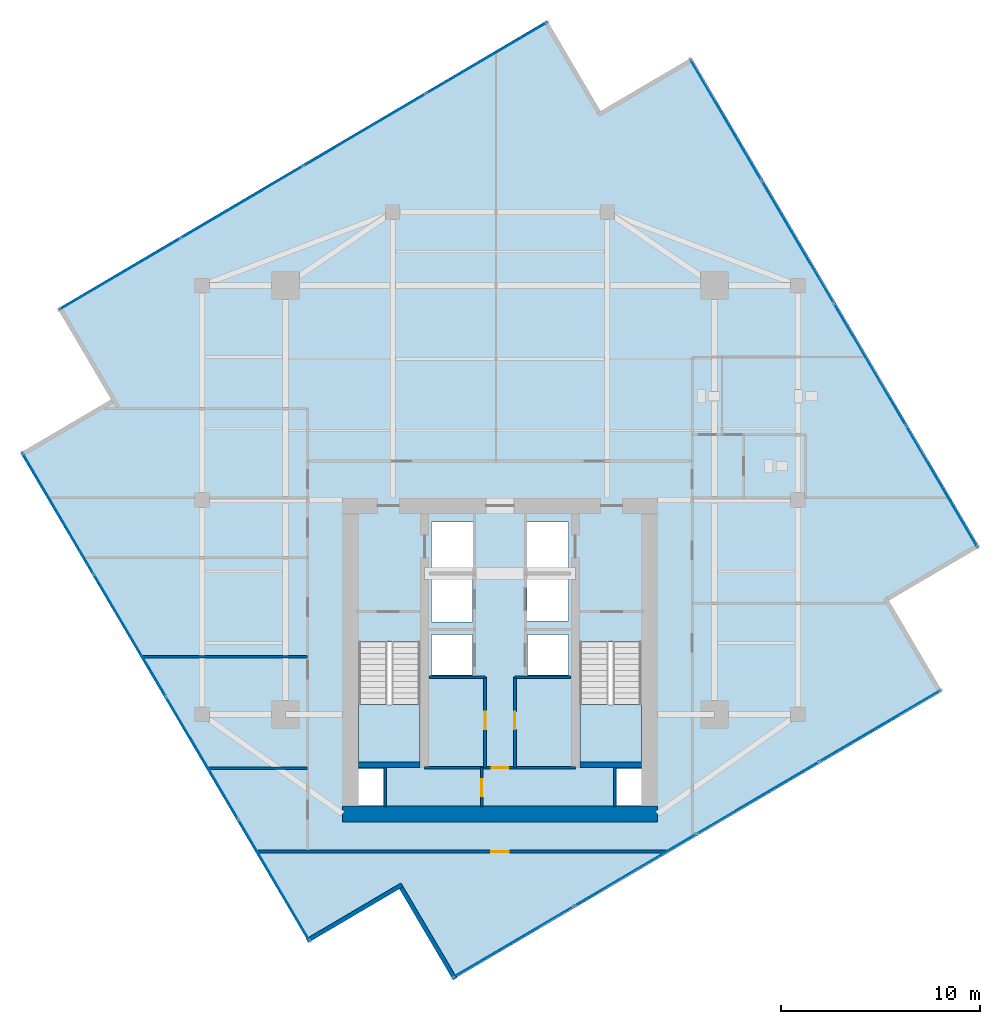
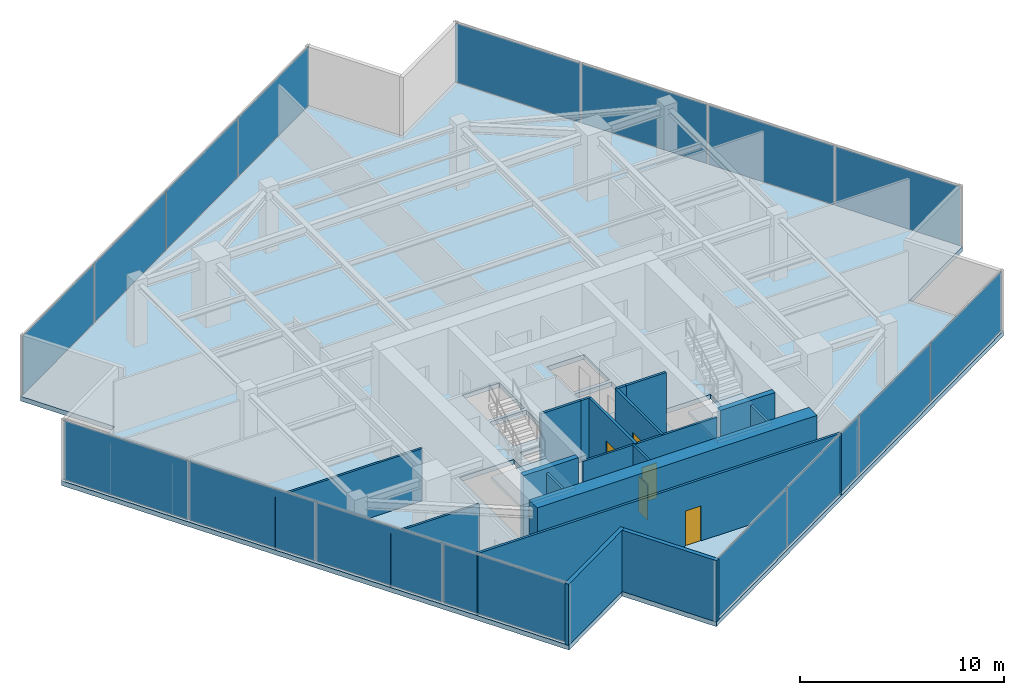
# One storey, part 16 of 20: 18 walls, 16 plates, 5 doors, 3 slabs, 5 openings, 6 elements without a shape of their own.
"""IFC4 building model written with IfcOpenShell, lengths in metres."""

from ifc_helpers import new_model, si_unit, direction, frame, frame_2d, origin, origin_2d, place, context, subcontext, project, spatial, polyline, rectangle, outline, extrude, source, transform, mapped, material, layer, layer_set, type_object, type_shapes, element, fill, aggregate, save


model = new_model("IFC4")

# Units and contexts
model_context = context("Model", 3, precision=1e-05, world=origin(), true_north=direction((0.0, 1.0)))
body_context = subcontext(model_context, "Body", "Model", "MODEL_VIEW")
ifc_project = project(units=[si_unit("LENGTHUNIT", "METRE"), si_unit("AREAUNIT", "SQUARE_METRE"), si_unit("VOLUMEUNIT", "CUBIC_METRE"), si_unit("PLANEANGLEUNIT", "RADIAN"), si_unit("MASSUNIT", "GRAM", prefix="KILO")], contexts=[model_context])

# Site, building, storey
site_placement = place(None, origin())
site = spatial("IfcSite", under=ifc_project, at=site_placement, CompositionType="ELEMENT")
building_placement = place(site_placement, origin())
building = spatial("IfcBuilding", under=site, at=building_placement, Name="Krantzveldt Concourse Tower", CompositionType="ELEMENT")
storey_placement = place(building_placement, frame((0.0, 0.0, 295.050048828125)))
storey = spatial("IfcBuildingStorey", under=building, at=storey_placement, Name="L72", CompositionType="ELEMENT", Elevation=295.050048828125)

# Stair, slab
ifc_material_1 = material(Name="Precast concrete C40/50", Category="concrete")
stair_type = type_object("IfcStairType", Name="STR-CORE-DOGLEG", PredefinedType="HALF_TURN_STAIR", material=ifc_material_1)
stair_1_placement = place(storey_placement, origin())
stair_1 = element("IfcStair", 1, at=stair_1_placement, inside=storey, type_object=stair_type, Name="L72 Protected Escape Stair ST-1", PredefinedType="HALF_TURN_STAIR")
ifc_layer_1 = layer(ifc_material_1, 0.199951171875, Name="Precast concrete C40/50", Category="concrete")
ifc_layer_set_1 = layer_set([ifc_layer_1], Name="Precast concrete C40/50 (SL-LANDING-200)")
slab_type_1 = type_object("IfcSlabType", Name="SL-LANDING-200", PredefinedType="LANDING", material=ifc_layer_set_1)
slab_1_placement = place(storey_placement, frame((0.0, 0.0, 1.77490234375)))
slab_1 = element("IfcSlab", 2, at=slab_1_placement, type_object=slab_type_1, Name="ST-1 landing 1", PredefinedType="LANDING", context=body_context, shape_type="SweptSolid", body=[
    extrude(outline(polyline([(28.8798828125, 16.4150390625), (28.8798828125, 13.52001953125), (31.97998046875, 13.52001953125), (31.97998046875, 16.4150390625), (28.8798828125, 16.4150390625)])), origin(), (0.0, 0.0, 1.0), 0.199951171875),
])
aggregate(stair_1, [slab_1])

stair_2_placement = place(storey_placement, origin())
stair_2 = element("IfcStair", 3, at=stair_2_placement, inside=storey, type_object=stair_type, Name="L72 Protected Escape Stair ST-2", PredefinedType="HALF_TURN_STAIR")
slab_2_placement = place(storey_placement, frame((0.0, 0.0, 1.77490234375)))
slab_2 = element("IfcSlab", 4, at=slab_2_placement, type_object=slab_type_1, Name="ST-2 landing 1", PredefinedType="LANDING", context=body_context, shape_type="SweptSolid", body=[
    extrude(outline(polyline([(40.02001953125, 16.4150390625), (40.02001953125, 13.52001953125), (43.1201171875, 13.52001953125), (43.1201171875, 16.4150390625), (40.02001953125, 16.4150390625)])), origin(), (0.0, 0.0, 1.0), 0.199951171875),
])
aggregate(stair_2, [slab_2])

# Slab
ifc_material_2 = material(Name="Concrete C40/50", Category="concrete")
ifc_layer_2 = layer(ifc_material_2, 0.280029296875, Name="Concrete C40/50", Category="concrete")
ifc_layer_set_2 = layer_set([ifc_layer_2], Name="Concrete C40/50 (SL-SL-TWR280)")
slab_type_2 = type_object("IfcSlabType", Name="SL-SL-TWR280", PredefinedType="FLOOR", material=ifc_layer_set_2)
slab_3_placement = place(storey_placement, frame((0.0, 0.0, -0.280029296875)))
element("IfcSlab", 5, at=slab_3_placement, inside=storey, type_object=slab_type_2, Name="SL-L72-MAIN", PredefinedType="FLOOR", context=body_context, shape_type="SweptSolid", body=[
    extrude(outline(polyline([(41.0634765625, 46.279052734375), (38.37353515625, 50.845703125), (13.73095703125, 36.330078125), (16.4208984375, 31.763427734375), (11.854248046875, 29.073486328125), (26.369873046875, 4.430908203125), (30.9365234375, 7.120849609375), (33.62646484375, 2.55419921875), (58.26904296875, 17.06982421875), (55.5791015625, 21.636474609375), (60.145751953125, 24.326416015625), (45.630126953125, 48.968994140625), (41.0634765625, 46.279052734375)]), holes=[polyline([(28.8798828125, 19.547607421875), (28.8798828125, 13.52001953125), (31.97998046875, 13.52001953125), (31.97998046875, 19.547607421875), (28.8798828125, 19.547607421875)]), polyline([(40.02001953125, 19.547607421875), (40.02001953125, 13.52001953125), (43.1201171875, 13.52001953125), (43.1201171875, 19.547607421875), (40.02001953125, 19.547607421875)]), polyline([(32.550048828125, 23.10009765625), (34.64990234375, 23.10009765625), (34.64990234375, 25.60009765625), (32.550048828125, 25.60009765625), (32.550048828125, 23.10009765625)]), polyline([(37.35009765625, 23.10009765625), (39.449951171875, 23.10009765625), (39.449951171875, 25.60009765625), (37.35009765625, 25.60009765625), (37.35009765625, 23.10009765625)]), polyline([(37.35009765625, 20.60009765625), (39.449951171875, 20.60009765625), (39.449951171875, 22.89990234375), (37.35009765625, 22.89990234375), (37.35009765625, 20.60009765625)]), polyline([(32.550048828125, 20.550048828125), (34.6201171875, 20.550048828125), (34.6201171875, 22.89990234375), (32.550048828125, 22.89990234375), (32.550048828125, 20.550048828125)]), polyline([(32.550048828125, 17.8798828125), (34.6201171875, 17.8798828125), (34.6201171875, 19.919921875), (32.550048828125, 19.919921875), (32.550048828125, 17.8798828125)]), polyline([(37.3798828125, 17.8798828125), (39.449951171875, 17.8798828125), (39.449951171875, 19.919921875), (37.3798828125, 19.919921875), (37.3798828125, 17.8798828125)]), polyline([(28.8798828125, 11.320068359375), (30.139892578125, 11.320068359375), (30.139892578125, 13.159912109375), (28.8798828125, 13.159912109375), (28.8798828125, 11.320068359375)]), polyline([(41.860107421875, 11.320068359375), (43.1201171875, 11.320068359375), (43.1201171875, 13.159912109375), (41.860107421875, 13.159912109375), (41.860107421875, 11.320068359375)])]), origin(), (0.0, 0.0, 1.0), 0.280029296875),
])

# Curtain wall, plates
ifc_material_3 = material(Name="Anodised aluminium 6063-T6", Category="aluminium")
curtain_wall_type = type_object("IfcCurtainWallType", Name="CW4", PredefinedType="USERDEFINED", material=ifc_material_3)
curtain_wall_1_placement = place(storey_placement, origin())
curtain_wall_1 = element("IfcCurtainWall", 6, at=curtain_wall_1_placement, inside=storey, type_object=curtain_wall_type, Name="CW-L72-F01", ObjectType="UNITISED CURTAIN WALL", PredefinedType="USERDEFINED")
ifc_material_4 = material(Name="Bronze-tinted laminated low-E IGU glass", Category="glass")
ifc_layer_3 = layer(ifc_material_4, 0.031982421875, Name="Bronze-tinted laminated low-E IGU glass", Category="glass")
ifc_layer_set_3 = layer_set([ifc_layer_3], Name="Bronze-tinted laminated low-E IGU glass (CW-GLZ-32)")
plate_type = type_object("IfcPlateType", Name="CW-GLZ-32", PredefinedType="CURTAIN_PANEL", material=ifc_layer_set_3)
shared_shape_1 = source(origin(), body_context, "Body", "SweptSolid", [
    extrude(rectangle(XDim=7.044921875, YDim=0.031982421875, at=origin_2d()), origin(), (0.0, 0.0, 1.0), 3.530029296875),
])
plate_1_placement = place(storey_placement, frame((35.32373046875, 48.94482421875, 0.06982421875), z_axis=(0.0, 0.0, 1.0), x_axis=(-0.861629171479, -0.507538344223, 0.0)))
plate_1 = element("IfcPlate", 7, at=plate_1_placement, type_object=plate_type, Name="CW-Z56 panel 1.1", PredefinedType="CURTAIN_PANEL", context=body_context, shape_type="MappedRepresentation", body=[
    mapped(shared_shape_1, transform((0.0, 0.0, 0.0), x_axis=(1.0, 0.0, 0.0), y_axis=(0.0, 1.0, 0.0), z_axis=(0.0, 0.0, 1.0), scale=1.0)),
])
plate_2_placement = place(storey_placement, frame((16.8720703125, 38.075927734375, 0.06982421875), z_axis=(0.0, 0.0, 1.0), x_axis=(-0.861629171479, -0.507538344223, 0.0)))
plate_2 = element("IfcPlate", 8, at=plate_2_placement, type_object=plate_type, Name="CW-Z56 panel 4.1", PredefinedType="CURTAIN_PANEL", context=body_context, shape_type="MappedRepresentation", body=[
    mapped(shared_shape_1, transform((0.0, 0.0, 0.0), x_axis=(1.0, 0.0, 0.0), y_axis=(0.0, 1.0, 0.0), z_axis=(0.0, 0.0, 1.0), scale=1.0)),
])

curtain_wall_2_placement = place(storey_placement, origin())
curtain_wall_2 = element("IfcCurtainWall", 9, at=curtain_wall_2_placement, inside=storey, type_object=curtain_wall_type, Name="CW-L72-F04", ObjectType="UNITISED CURTAIN WALL", PredefinedType="USERDEFINED")
plate_3_placement = place(storey_placement, frame((13.755126953125, 26.02392578125, 0.06982421875), z_axis=(0.0, 0.0, 1.0), x_axis=(0.507538344223, -0.861629171479, 0.0)))
plate_3 = element("IfcPlate", 10, at=plate_3_placement, type_object=plate_type, Name="CW-Z56 panel 1.1", PredefinedType="CURTAIN_PANEL", context=body_context, shape_type="MappedRepresentation", body=[
    mapped(shared_shape_1, transform((0.0, 0.0, 0.0), x_axis=(1.0, 0.0, 0.0), y_axis=(0.0, 1.0, 0.0), z_axis=(0.0, 0.0, 1.0), scale=1.0)),
])
plate_4_placement = place(storey_placement, frame((24.6240234375, 7.572021484375, 0.06982421875), z_axis=(0.0, 0.0, 1.0), x_axis=(0.507538344223, -0.861629171479, 0.0)))
plate_4 = element("IfcPlate", 11, at=plate_4_placement, type_object=plate_type, Name="CW-Z56 panel 4.1", PredefinedType="CURTAIN_PANEL", context=body_context, shape_type="MappedRepresentation", body=[
    mapped(shared_shape_1, transform((0.0, 0.0, 0.0), x_axis=(1.0, 0.0, 0.0), y_axis=(0.0, 1.0, 0.0), z_axis=(0.0, 0.0, 1.0), scale=1.0)),
])

curtain_wall_3_placement = place(storey_placement, origin())
curtain_wall_3 = element("IfcCurtainWall", 12, at=curtain_wall_3_placement, inside=storey, type_object=curtain_wall_type, Name="CW-L72-F07", ObjectType="UNITISED CURTAIN WALL", PredefinedType="USERDEFINED")
plate_5_placement = place(storey_placement, frame((36.67626953125, 4.455078125, 0.06982421875), z_axis=(0.0, 0.0, 1.0), x_axis=(0.861629171479, 0.507538344223, 0.0)))
plate_5 = element("IfcPlate", 13, at=plate_5_placement, type_object=plate_type, Name="CW-Z56 panel 1.1", PredefinedType="CURTAIN_PANEL", context=body_context, shape_type="MappedRepresentation", body=[
    mapped(shared_shape_1, transform((0.0, 0.0, 0.0), x_axis=(1.0, 0.0, 0.0), y_axis=(0.0, 1.0, 0.0), z_axis=(0.0, 0.0, 1.0), scale=1.0)),
])
plate_6_placement = place(storey_placement, frame((55.1279296875, 15.323974609375, 0.06982421875), z_axis=(0.0, 0.0, 1.0), x_axis=(0.861629171479, 0.507538344223, 0.0)))
plate_6 = element("IfcPlate", 14, at=plate_6_placement, type_object=plate_type, Name="CW-Z56 panel 4.1", PredefinedType="CURTAIN_PANEL", context=body_context, shape_type="MappedRepresentation", body=[
    mapped(shared_shape_1, transform((0.0, 0.0, 0.0), x_axis=(1.0, 0.0, 0.0), y_axis=(0.0, 1.0, 0.0), z_axis=(0.0, 0.0, 1.0), scale=1.0)),
])

curtain_wall_4_placement = place(storey_placement, origin())
curtain_wall_4 = element("IfcCurtainWall", 15, at=curtain_wall_4_placement, inside=storey, type_object=curtain_wall_type, Name="CW-L72-F10", ObjectType="UNITISED CURTAIN WALL", PredefinedType="USERDEFINED")
plate_7_placement = place(storey_placement, frame((58.244873046875, 27.376220703125, 0.06982421875), z_axis=(0.0, 0.0, 1.0), x_axis=(-0.507538344223, 0.861629171479, 0.0)))
plate_7 = element("IfcPlate", 16, at=plate_7_placement, type_object=plate_type, Name="CW-Z56 panel 1.1", PredefinedType="CURTAIN_PANEL", context=body_context, shape_type="MappedRepresentation", body=[
    mapped(shared_shape_1, transform((0.0, 0.0, 0.0), x_axis=(1.0, 0.0, 0.0), y_axis=(0.0, 1.0, 0.0), z_axis=(0.0, 0.0, 1.0), scale=1.0)),
])
plate_8_placement = place(storey_placement, frame((47.3759765625, 45.827880859375, 0.06982421875), z_axis=(0.0, 0.0, 1.0), x_axis=(-0.507538344223, 0.861629171479, 0.0)))
plate_8 = element("IfcPlate", 17, at=plate_8_placement, type_object=plate_type, Name="CW-Z56 panel 4.1", PredefinedType="CURTAIN_PANEL", context=body_context, shape_type="MappedRepresentation", body=[
    mapped(shared_shape_1, transform((0.0, 0.0, 0.0), x_axis=(1.0, 0.0, 0.0), y_axis=(0.0, 1.0, 0.0), z_axis=(0.0, 0.0, 1.0), scale=1.0)),
])

# Plate
shared_shape_2 = source(origin(), body_context, "Body", "SweptSolid", [
    extrude(rectangle(XDim=7.080078125, YDim=0.031982421875, at=origin_2d()), origin(), (0.0, 0.0, 1.0), 3.530029296875),
])
type_shapes(plate_type, [shared_shape_1, shared_shape_2])
plate_9_placement = place(storey_placement, frame((29.17822265625, 45.324951171875, 0.06982421875), z_axis=(0.0, 0.0, 1.0), x_axis=(-0.861629171479, -0.507538344223, 0.0)))
plate_9 = element("IfcPlate", 18, at=plate_9_placement, type_object=plate_type, Name="CW-Z56 panel 2.1", PredefinedType="CURTAIN_PANEL", context=body_context, shape_type="MappedRepresentation", body=[
    mapped(shared_shape_2, transform((0.0, 0.0, 0.0), x_axis=(1.0, 0.0, 0.0), y_axis=(0.0, 1.0, 0.0), z_axis=(0.0, 0.0, 1.0), scale=1.0)),
])

plate_10_placement = place(storey_placement, frame((23.017578125, 41.696044921875, 0.06982421875), z_axis=(0.0, 0.0, 1.0), x_axis=(-0.861629171479, -0.507538344223, 0.0)))
plate_10 = element("IfcPlate", 19, at=plate_10_placement, type_object=plate_type, Name="CW-Z56 panel 3.1", PredefinedType="CURTAIN_PANEL", context=body_context, shape_type="MappedRepresentation", body=[
    mapped(shared_shape_2, transform((0.0, 0.0, 0.0), x_axis=(1.0, 0.0, 0.0), y_axis=(0.0, 1.0, 0.0), z_axis=(0.0, 0.0, 1.0), scale=1.0)),
])

aggregate(curtain_wall_1, [plate_1, plate_9, plate_10, plate_2])

plate_11_placement = place(storey_placement, frame((17.375244140625, 19.878173828125, 0.06982421875), z_axis=(0.0, 0.0, 1.0), x_axis=(0.507538344223, -0.861629171479, 0.0)))
plate_11 = element("IfcPlate", 20, at=plate_11_placement, type_object=plate_type, Name="CW-Z56 panel 2.1", PredefinedType="CURTAIN_PANEL", context=body_context, shape_type="MappedRepresentation", body=[
    mapped(shared_shape_2, transform((0.0, 0.0, 0.0), x_axis=(1.0, 0.0, 0.0), y_axis=(0.0, 1.0, 0.0), z_axis=(0.0, 0.0, 1.0), scale=1.0)),
])

plate_12_placement = place(storey_placement, frame((21.004150390625, 13.717529296875, 0.06982421875), z_axis=(0.0, 0.0, 1.0), x_axis=(0.507538344223, -0.861629171479, 0.0)))
plate_12 = element("IfcPlate", 21, at=plate_12_placement, type_object=plate_type, Name="CW-Z56 panel 3.1", PredefinedType="CURTAIN_PANEL", context=body_context, shape_type="MappedRepresentation", body=[
    mapped(shared_shape_2, transform((0.0, 0.0, 0.0), x_axis=(1.0, 0.0, 0.0), y_axis=(0.0, 1.0, 0.0), z_axis=(0.0, 0.0, 1.0), scale=1.0)),
])

aggregate(curtain_wall_2, [plate_3, plate_11, plate_12, plate_4])

plate_13_placement = place(storey_placement, frame((42.82177734375, 8.0751953125, 0.06982421875), z_axis=(0.0, 0.0, 1.0), x_axis=(0.861629171479, 0.507538344223, 0.0)))
plate_13 = element("IfcPlate", 22, at=plate_13_placement, type_object=plate_type, Name="CW-Z56 panel 2.1", PredefinedType="CURTAIN_PANEL", context=body_context, shape_type="MappedRepresentation", body=[
    mapped(shared_shape_2, transform((0.0, 0.0, 0.0), x_axis=(1.0, 0.0, 0.0), y_axis=(0.0, 1.0, 0.0), z_axis=(0.0, 0.0, 1.0), scale=1.0)),
])

plate_14_placement = place(storey_placement, frame((48.982421875, 11.7041015625, 0.06982421875), z_axis=(0.0, 0.0, 1.0), x_axis=(0.861629171479, 0.507538344223, 0.0)))
plate_14 = element("IfcPlate", 23, at=plate_14_placement, type_object=plate_type, Name="CW-Z56 panel 3.1", PredefinedType="CURTAIN_PANEL", context=body_context, shape_type="MappedRepresentation", body=[
    mapped(shared_shape_2, transform((0.0, 0.0, 0.0), x_axis=(1.0, 0.0, 0.0), y_axis=(0.0, 1.0, 0.0), z_axis=(0.0, 0.0, 1.0), scale=1.0)),
])

aggregate(curtain_wall_3, [plate_5, plate_13, plate_14, plate_6])

plate_15_placement = place(storey_placement, frame((54.624755859375, 33.521728515625, 0.06982421875), z_axis=(0.0, 0.0, 1.0), x_axis=(-0.507538344223, 0.861629171479, 0.0)))
plate_15 = element("IfcPlate", 24, at=plate_15_placement, type_object=plate_type, Name="CW-Z56 panel 2.1", PredefinedType="CURTAIN_PANEL", context=body_context, shape_type="MappedRepresentation", body=[
    mapped(shared_shape_2, transform((0.0, 0.0, 0.0), x_axis=(1.0, 0.0, 0.0), y_axis=(0.0, 1.0, 0.0), z_axis=(0.0, 0.0, 1.0), scale=1.0)),
])

plate_16_placement = place(storey_placement, frame((50.995849609375, 39.682373046875, 0.06982421875), z_axis=(0.0, 0.0, 1.0), x_axis=(-0.507538344223, 0.861629171479, 0.0)))
plate_16 = element("IfcPlate", 25, at=plate_16_placement, type_object=plate_type, Name="CW-Z56 panel 3.1", PredefinedType="CURTAIN_PANEL", context=body_context, shape_type="MappedRepresentation", body=[
    mapped(shared_shape_2, transform((0.0, 0.0, 0.0), x_axis=(1.0, 0.0, 0.0), y_axis=(0.0, 1.0, 0.0), z_axis=(0.0, 0.0, 1.0), scale=1.0)),
])

aggregate(curtain_wall_4, [plate_7, plate_15, plate_16, plate_8])

# Walls
ifc_layer_4 = layer(ifc_material_3, 0.219970703125, Name="Anodised aluminium 6063-T6", Category="aluminium")
ifc_layer_set_4 = layer_set([ifc_layer_4], Name="Anodised aluminium 6063-T6 (WL-EXT-NOTCH220)")
wall_type_1 = type_object("IfcWallType", Name="WL-EXT-NOTCH220", PredefinedType="ELEMENTEDWALL", material=ifc_layer_set_4)
wall_1_placement = place(storey_placement, frame((26.29248046875, 4.512939453125, 0.0), z_axis=(0.0, 0.0, 1.0), x_axis=(0.861621670092, 0.507551078836, 0.0)))
element("IfcWall", 26, at=wall_1_placement, inside=storey, type_object=wall_type_1, Name="EW-L72-NCH05", PredefinedType="ELEMENTEDWALL", context=body_context, shape_type="SweptSolid", body=[
    extrude(rectangle(XDim=5.545166015625, YDim=0.219970703125, at=frame_2d((2.7724609375, 0.0))), origin(), (0.0, 0.0, 1.0), 3.669921875),
])
wall_2_placement = place(storey_placement, frame((31.03125, 7.1767578125, 0.0), z_axis=(0.0, 0.0, 1.0), x_axis=(0.507540984104, -0.861627616465, 0.0)))
element("IfcWall", 27, at=wall_2_placement, inside=storey, type_object=wall_type_1, Name="EW-L72-NCH06", PredefinedType="ELEMENTEDWALL", context=body_context, shape_type="SweptSolid", body=[
    extrude(rectangle(XDim=5.324951171875, YDim=0.219970703125, at=frame_2d((2.66259765625, 0.0))), origin(), (0.0, 0.0, 1.0), 3.669921875),
])

# Wall, opening, door
ifc_material_5 = material(Name="Fire-rated gypsum plasterboard on steel stud", Category="steel")
ifc_layer_5 = layer(ifc_material_5, 0.1201171875, Name="Fire-rated gypsum plasterboard on steel stud", Category="steel")
ifc_layer_set_5 = layer_set([ifc_layer_5], Name="Fire-rated gypsum plasterboard on steel stud (WL-PART-120)")
wall_type_2 = type_object("IfcWallType", Name="WL-PART-120", PredefinedType="PARTITIONING", material=ifc_layer_set_5)
wall_3_placement = place(storey_placement, frame((32.2099609375, 13.219970703125, 0.0), z_axis=(0.0, 0.0, 1.0), x_axis=(1.0, 0.0, 0.0)))
wall_3 = element("IfcWall", 28, at=wall_3_placement, inside=storey, type_object=wall_type_2, Name="WP-L72-CS2H", PredefinedType="PARTITIONING", context=body_context, shape_type="SweptSolid", body=[
    extrude(rectangle(XDim=7.580078125, YDim=0.1201171875, at=frame_2d((3.7900390625, 0.0))), origin(), (0.0, 0.0, 1.0), 3.669921875),
])
opening_1_placement = place(wall_3_placement, frame((3.364990234375, 0.0, 0.0)))
opening_1 = element("IfcOpeningElement", 29, at=opening_1_placement, cuts=wall_3, Name="Opening D-IN085", PredefinedType="OPENING", context=body_context, shape_type="SweptSolid", body=[
    extrude(rectangle(XDim=0.85009765625, YDim=2.10009765625, at=frame_2d((0.425048828125, 1.050048828125))), frame((0.0, 0.070068359375, 0.0), z_axis=(0.0, -1.0, 0.0), x_axis=(1.0, 0.0, 0.0)), (0.0, 0.0, 1.0), 0.14013671875),
])
ifc_material_6 = material(Name="Hardwood timber", Category="wood")
door_type_1 = type_object("IfcDoorType", Name="DR-INT-850", OperationType="SINGLE_SWING_LEFT", PredefinedType="DOOR", material=ifc_material_6)
door_1_placement = place(opening_1_placement, origin())
door_1 = element("IfcDoor", 30, at=door_1_placement, inside=storey, type_object=door_type_1, Name="DR-L72-LLBS", OperationType="SINGLE_SWING_RIGHT", OverallHeight=2.10009765625, OverallWidth=0.85009765625, PredefinedType="DOOR", context=body_context, shape_type="SweptSolid", body=[
    extrude(rectangle(XDim=0.85009765625, YDim=2.10009765625, at=frame_2d((0.425048828125, 1.050048828125))), frame((0.0, 0.02490234375, 0.0), z_axis=(0.0, -1.0, 0.0), x_axis=(1.0, 0.0, 0.0)), (0.0, 0.0, 1.0), 0.050048828125),
])
fill(opening_1, door_1)

wall_4_placement = place(storey_placement, frame((35.080078125, 11.25, 0.0), z_axis=(0.0, 0.0, 1.0), x_axis=(0.0, 1.0, 0.0)))
wall_4 = element("IfcWall", 31, at=wall_4_placement, inside=storey, type_object=wall_type_2, Name="WP-L72-CSA-V", PredefinedType="PARTITIONING", context=body_context, shape_type="SweptSolid", body=[
    extrude(rectangle(XDim=1.969970703125, YDim=0.1201171875, at=frame_2d((0.98486328125, 0.0))), origin(), (0.0, 0.0, 1.0), 3.669921875),
])
opening_2_placement = place(wall_4_placement, frame((0.544921875, 0.0, 0.0)))
opening_2 = element("IfcOpeningElement", 32, at=opening_2_placement, cuts=wall_4, Name="Opening D-IN085", PredefinedType="OPENING", context=body_context, shape_type="SweptSolid", body=[
    extrude(rectangle(XDim=0.85009765625, YDim=2.10009765625, at=frame_2d((0.425048828125, 1.050048828125))), frame((0.0, 0.070068359375, 0.0), z_axis=(0.0, -1.0, 0.0), x_axis=(1.0, 0.0, 0.0)), (0.0, 0.0, 1.0), 0.14013671875),
])
door_2_placement = place(opening_2_placement, origin())
door_2 = element("IfcDoor", 33, at=door_2_placement, inside=storey, type_object=door_type_1, Name="DR-L72-CSA1", OperationType="SINGLE_SWING_LEFT", OverallHeight=2.10009765625, OverallWidth=0.85009765625, PredefinedType="DOOR", context=body_context, shape_type="SweptSolid", body=[
    extrude(rectangle(XDim=0.85009765625, YDim=2.10009765625, at=frame_2d((0.425048828125, 1.050048828125))), frame((0.0, 0.02490234375, 0.0), z_axis=(0.0, -1.0, 0.0), x_axis=(1.0, 0.0, 0.0)), (0.0, 0.0, 1.0), 0.050048828125),
])
fill(opening_2, door_2)

# Walls
wall_5_placement = place(storey_placement, frame((21.30908203125, 13.199951171875, 0.0), z_axis=(0.0, 0.0, 1.0), x_axis=(1.0, 0.0, 0.0)))
element("IfcWall", 34, at=wall_5_placement, inside=storey, type_object=wall_type_2, Name="WP-L72-WD1", PredefinedType="PARTITIONING", context=body_context, shape_type="SweptSolid", body=[
    extrude(rectangle(XDim=5.010986328125, YDim=0.1201171875, at=frame_2d((2.50537109375, 0.0))), origin(), (0.0, 0.0, 1.0), 3.179931640625),
])
wall_6_placement = place(storey_placement, frame((18.01025390625, 18.800048828125, 0.0), z_axis=(0.0, 0.0, 1.0), x_axis=(1.0, 0.0, 0.0)))
element("IfcWall", 35, at=wall_6_placement, inside=storey, type_object=wall_type_2, Name="WP-L72-WD2", PredefinedType="PARTITIONING", context=body_context, shape_type="SweptSolid", body=[
    extrude(rectangle(XDim=8.309814453125, YDim=0.1201171875, at=frame_2d((4.15478515625, 0.0))), origin(), (0.0, 0.0, 1.0), 3.1298828125),
])

# Wall, opening, door
ifc_layer_6 = layer(ifc_material_5, 0.139892578125, Name="Fire-rated gypsum plasterboard on steel stud", Category="steel")
ifc_layer_set_6 = layer_set([ifc_layer_6], Name="Fire-rated gypsum plasterboard on steel stud (WL-PART-140)")
wall_type_3 = type_object("IfcWallType", Name="WL-PART-140", PredefinedType="PARTITIONING", material=ifc_layer_set_6)
wall_7_placement = place(storey_placement, frame((23.782958984375, 9.0, 0.0), z_axis=(0.0, 0.0, 1.0), x_axis=(1.0, 0.0, 0.0)))
wall_7 = element("IfcWall", 36, at=wall_7_placement, inside=storey, type_object=wall_type_3, Name="WP-L72-CSBOT", PredefinedType="PARTITIONING", context=body_context, shape_type="SweptSolid", body=[
    extrude(rectangle(XDim=20.60888671875, YDim=0.139892578125, at=frame_2d((10.304443359375, 0.0))), origin(), (0.0, 0.0, 1.0), 3.669921875),
])
opening_3_placement = place(wall_7_placement, frame((11.76708984375, 0.0, 0.0)))
opening_3 = element("IfcOpeningElement", 37, at=opening_3_placement, cuts=wall_7, Name="Opening D-IN090", PredefinedType="OPENING", context=body_context, shape_type="SweptSolid", body=[
    extrude(rectangle(XDim=0.89990234375, YDim=2.10009765625, at=frame_2d((0.449951171875, 1.050048828125))), frame((0.0, 0.080078125, 0.0), z_axis=(0.0, -1.0, 0.0), x_axis=(1.0, 0.0, 0.0)), (0.0, 0.0, 1.0), 0.159912109375),
])
door_type_2 = type_object("IfcDoorType", Name="DR-INT-900", OperationType="SINGLE_SWING_LEFT", PredefinedType="DOOR", material=ifc_material_6)
door_3_placement = place(opening_3_placement, origin())
door_3 = element("IfcDoor", 38, at=door_3_placement, inside=storey, type_object=door_type_2, Name="DR-L72-SR1", OperationType="SINGLE_SWING_LEFT", OverallHeight=2.10009765625, OverallWidth=0.89990234375, PredefinedType="DOOR", context=body_context, shape_type="SweptSolid", body=[
    extrude(rectangle(XDim=0.89990234375, YDim=2.10009765625, at=frame_2d((0.449951171875, 1.050048828125))), frame((0.0, 0.02490234375, 0.0), z_axis=(0.0, -1.0, 0.0), x_axis=(1.0, 0.0, 0.0)), (0.0, 0.0, 1.0), 0.050048828125),
])
fill(opening_3, door_3)

# Walls
ifc_layer_7 = layer(ifc_material_5, 0.139892578125, Name="Fire-rated gypsum plasterboard on steel stud", Category="steel")
ifc_layer_set_7 = layer_set([ifc_layer_7], Name="Fire-rated gypsum plasterboard on steel stud (WL-PART-FR140)")
wall_type_4 = type_object("IfcWallType", Name="WL-PART-FR140", PredefinedType="PARTITIONING", material=ifc_layer_set_7)
for number, where, z_axis, x_axis, name in (
    (39, (32.449951171875, 17.780029296875, 0.0), (0.0, 0.0, 1.0), (1.0, 0.0, 0.0), "WP-L72-DIVW2"),
    (40, (37.280029296875, 17.780029296875, 0.0), (0.0, 0.0, 1.0), (1.0, 0.0, 0.0), "WP-L72-DIVE2"),
):
    element("IfcWall", number, at=place(storey_placement, frame(where, z_axis=z_axis, x_axis=x_axis)), inside=storey, type_object=wall_type_4, Name=name, PredefinedType="PARTITIONING", context=body_context, shape_type="SweptSolid", body=[
        extrude(rectangle(XDim=2.27001953125, YDim=0.139892578125, at=frame_2d((1.135009765625, 0.0))), origin(), (0.0, 0.0, 1.0), 3.669921875),
    ])

# Wall, opening, door
wall_8_placement = place(storey_placement, frame((35.25, 13.219970703125, 0.0), z_axis=(0.0, 0.0, 1.0), x_axis=(0.0, 1.0, 0.0)))
wall_8 = element("IfcWall", 41, at=wall_8_placement, inside=storey, type_object=wall_type_4, Name="WP-L72-RECW", PredefinedType="PARTITIONING", context=body_context, shape_type="SweptSolid", body=[
    extrude(rectangle(XDim=4.56005859375, YDim=0.139892578125, at=frame_2d((2.280029296875, 0.0))), origin(), (0.0, 0.0, 1.0), 3.669921875),
])
opening_4_placement = place(wall_8_placement, frame((1.929931640625, 0.0, 0.0)))
opening_4 = element("IfcOpeningElement", 42, at=opening_4_placement, cuts=wall_8, Name="Opening D-FD090", PredefinedType="OPENING", context=body_context, shape_type="SweptSolid", body=[
    extrude(rectangle(XDim=0.89990234375, YDim=2.10009765625, at=frame_2d((0.449951171875, 1.050048828125))), frame((0.0, 0.080078125, 0.0), z_axis=(0.0, -1.0, 0.0), x_axis=(1.0, 0.0, 0.0)), (0.0, 0.0, 1.0), 0.159912109375),
])
door_type_3 = type_object("IfcDoorType", Name="DR-FD60-900", OperationType="SINGLE_SWING_LEFT", PredefinedType="DOOR", material=ifc_material_6)
door_4_placement = place(opening_4_placement, origin())
door_4 = element("IfcDoor", 43, at=door_4_placement, inside=storey, type_object=door_type_3, Name="DR-L72-RECW", OperationType="SINGLE_SWING_LEFT", OverallHeight=2.10009765625, OverallWidth=0.89990234375, PredefinedType="DOOR", context=body_context, shape_type="SweptSolid", body=[
    extrude(rectangle(XDim=0.89990234375, YDim=2.10009765625, at=frame_2d((0.449951171875, 1.050048828125))), frame((0.0, 0.02490234375, 0.0), z_axis=(0.0, -1.0, 0.0), x_axis=(1.0, 0.0, 0.0)), (0.0, 0.0, 1.0), 0.050048828125),
])
fill(opening_4, door_4)

# Wall
wall_9_placement = place(storey_placement, frame((34.719970703125, 17.780029296875, 0.0), z_axis=(0.0, 0.0, 1.0), x_axis=(1.0, 0.0, 0.0)))
element("IfcWall", 44, at=wall_9_placement, inside=storey, type_object=wall_type_4, Name="WP-L72-RECWN", PredefinedType="PARTITIONING", context=body_context, shape_type="SweptSolid", body=[
    extrude(rectangle(XDim=0.530029296875, YDim=0.139892578125, at=frame_2d((0.26513671875, 0.0))), origin(), (0.0, 0.0, 1.0), 3.669921875),
])

# Wall, opening, door
wall_10_placement = place(storey_placement, frame((36.75, 13.219970703125, 0.0), z_axis=(0.0, 0.0, 1.0), x_axis=(0.0, 1.0, 0.0)))
wall_10 = element("IfcWall", 45, at=wall_10_placement, inside=storey, type_object=wall_type_4, Name="WP-L72-RECE", PredefinedType="PARTITIONING", context=body_context, shape_type="SweptSolid", body=[
    extrude(rectangle(XDim=4.56005859375, YDim=0.139892578125, at=frame_2d((2.280029296875, 0.0))), origin(), (0.0, 0.0, 1.0), 3.669921875),
])
opening_5_placement = place(wall_10_placement, frame((1.929931640625, 0.0, 0.0)))
opening_5 = element("IfcOpeningElement", 46, at=opening_5_placement, cuts=wall_10, Name="Opening D-FD090", PredefinedType="OPENING", context=body_context, shape_type="SweptSolid", body=[
    extrude(rectangle(XDim=0.89990234375, YDim=2.10009765625, at=frame_2d((0.449951171875, 1.050048828125))), frame((0.0, 0.080078125, 0.0), z_axis=(0.0, -1.0, 0.0), x_axis=(1.0, 0.0, 0.0)), (0.0, 0.0, 1.0), 0.159912109375),
])
door_5_placement = place(opening_5_placement, origin())
door_5 = element("IfcDoor", 47, at=door_5_placement, inside=storey, type_object=door_type_3, Name="DR-L72-RECE", OperationType="SINGLE_SWING_RIGHT", OverallHeight=2.10009765625, OverallWidth=0.89990234375, PredefinedType="DOOR", context=body_context, shape_type="SweptSolid", body=[
    extrude(rectangle(XDim=0.89990234375, YDim=2.10009765625, at=frame_2d((0.449951171875, 1.050048828125))), frame((0.0, 0.02490234375, 0.0), z_axis=(0.0, -1.0, 0.0), x_axis=(1.0, 0.0, 0.0)), (0.0, 0.0, 1.0), 0.050048828125),
])
fill(opening_5, door_5)

# Walls
wall_11_placement = place(storey_placement, frame((36.75, 17.780029296875, 0.0), z_axis=(0.0, 0.0, 1.0), x_axis=(1.0, 0.0, 0.0)))
element("IfcWall", 48, at=wall_11_placement, inside=storey, type_object=wall_type_4, Name="WP-L72-RECEN", PredefinedType="PARTITIONING", context=body_context, shape_type="SweptSolid", body=[
    extrude(rectangle(XDim=0.530029296875, YDim=0.139892578125, at=frame_2d((0.26513671875, 0.0))), origin(), (0.0, 0.0, 1.0), 3.669921875),
])
for number, where, z_axis, x_axis, name in (
    (49, (30.219970703125, 11.25, 0.0), (0.0, 0.0, 1.0), (0.0, 1.0, 0.0), "WP-L72-RSW"),
    (50, (41.780029296875, 11.25, 0.0), (0.0, 0.0, 1.0), (0.0, 1.0, 0.0), "WP-L72-RSE"),
):
    element("IfcWall", number, at=place(storey_placement, frame(where, z_axis=z_axis, x_axis=x_axis)), inside=storey, type_object=wall_type_4, Name=name, PredefinedType="PARTITIONING", context=body_context, shape_type="SweptSolid", body=[
        extrude(rectangle(XDim=1.969970703125, YDim=0.1201171875, at=frame_2d((0.98486328125, 0.0))), origin(), (0.0, 0.0, 1.0), 3.669921875),
    ])
ifc_material_7 = material(Name="Concrete C50/60", Category="concrete")
ifc_layer_8 = layer(ifc_material_7, 0.300048828125, Name="Concrete C50/60", Category="concrete")
ifc_layer_set_8 = layer_set([ifc_layer_8], Name="Concrete C50/60 (WL-SHEAR-300)")
wall_type_5 = type_object("IfcWallType", Name="WL-SHEAR-300", PredefinedType="SHEAR", material=ifc_layer_set_8)
for number, where, z_axis, x_axis, name in (
    (51, (28.8798828125, 13.3701171875, 0.0), (0.0, 0.0, 1.0), (1.0, 0.0, 0.0), "CW-L72-ST1S"),
    (52, (40.02001953125, 13.3701171875, 0.0), (0.0, 0.0, 1.0), (1.0, 0.0, 0.0), "CW-L72-ST2S"),
):
    element("IfcWall", number, at=place(storey_placement, frame(where, z_axis=z_axis, x_axis=x_axis)), inside=storey, type_object=wall_type_5, Name=name, PredefinedType="SHEAR", context=body_context, shape_type="SweptSolid", body=[
        extrude(rectangle(XDim=3.10009765625, YDim=0.300048828125, at=frame_2d((1.550048828125, 0.0))), origin(), (0.0, 0.0, 1.0), 3.949951171875),
    ])
ifc_material_8 = material(Name="Concrete C60/75", Category="concrete")
ifc_layer_9 = layer(ifc_material_8, 0.800048828125, Name="Concrete C60/75", Category="concrete")
ifc_layer_set_9 = layer_set([ifc_layer_9], Name="Concrete C60/75 (WL-SHEAR-800)")
wall_type_6 = type_object("IfcWallType", Name="WL-SHEAR-800", PredefinedType="SHEAR", material=ifc_layer_set_9)
wall_12_placement = place(storey_placement, frame((28.080078125, 10.89990234375, 0.0), z_axis=(0.0, 0.0, 1.0), x_axis=(1.0, 0.0, 0.0)))
element("IfcWall", 53, at=wall_12_placement, inside=storey, type_object=wall_type_6, Name="CW-L72-S", PredefinedType="SHEAR", context=body_context, shape_type="SweptSolid", body=[
    extrude(rectangle(XDim=15.83984375, YDim=0.800048828125, at=frame_2d((7.919921875, 0.0))), origin(), (0.0, 0.0, 1.0), 3.949951171875),
])

save(model, "model.ifc")
